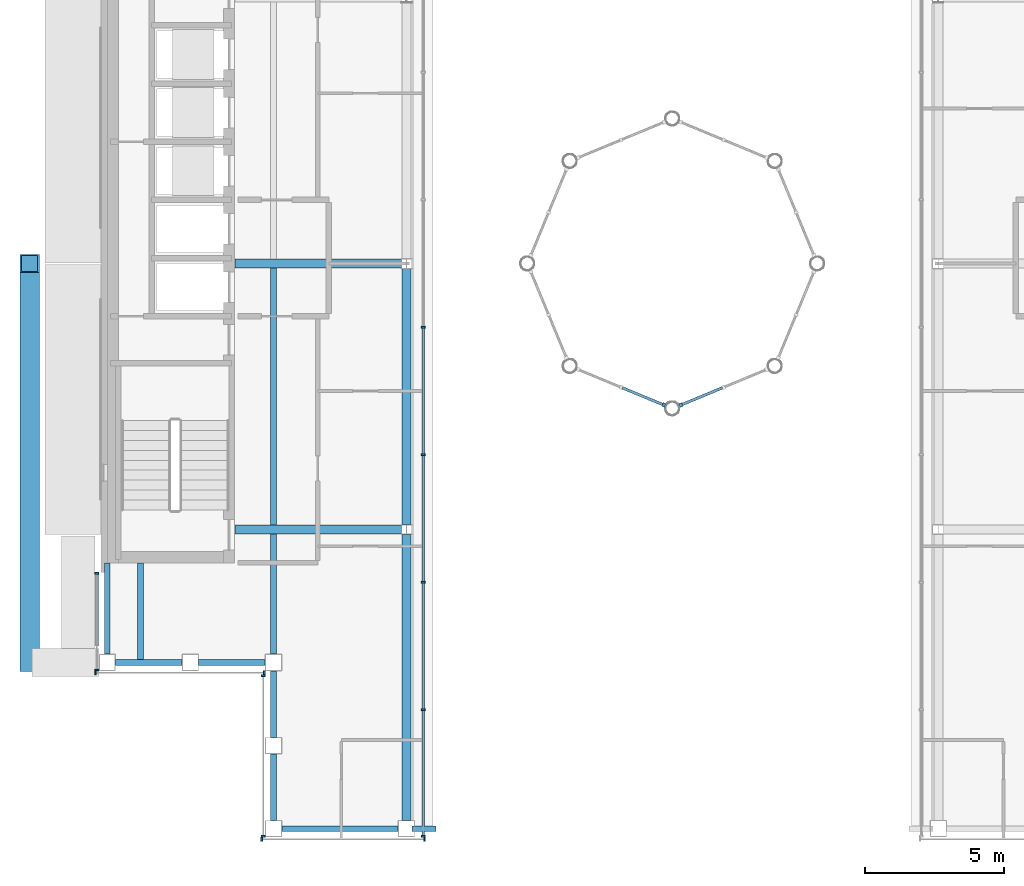
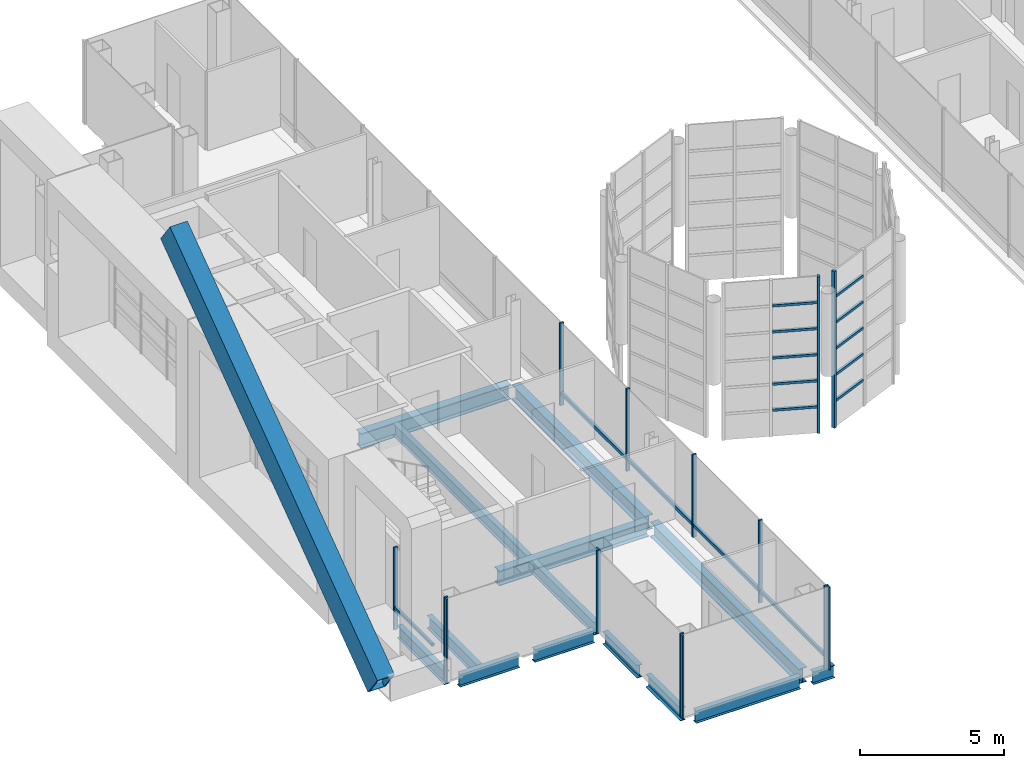
# One storey, part 4 of 21: 31 members, 14 beams, 7 elements without a shape of their own.
"""IFC4 building model written with IfcOpenShell, lengths in metres."""

from ifc_helpers import new_model, si_unit, direction, frame, origin, origin_2d, place, context, subcontext, project, spatial, rectangle, hollow_rectangle, i_section, extrude, material, material_profile, profile_set, type_object, element, aggregate, save


model = new_model("IFC4")

# Units and contexts
model_context = context("Model", 3, precision=1e-05, world=origin(), true_north=direction((0.0, 1.0)))
body_context = subcontext(model_context, "Body", "Model", "MODEL_VIEW")
ifc_project = project(units=[si_unit("LENGTHUNIT", "METRE"), si_unit("AREAUNIT", "SQUARE_METRE"), si_unit("VOLUMEUNIT", "CUBIC_METRE"), si_unit("PLANEANGLEUNIT", "RADIAN"), si_unit("MASSUNIT", "GRAM", prefix="KILO")], contexts=[model_context])

# Site, building, storey
site_placement = place(None, origin())
site = spatial("IfcSite", under=ifc_project, at=site_placement, CompositionType="ELEMENT")
building_placement = place(site_placement, origin())
building = spatial("IfcBuilding", under=site, at=building_placement, Name="Cobrizo Arcos Hotel Tower", CompositionType="ELEMENT")
storey_placement = place(building_placement, frame((0.0, 0.0, 276.0)))
storey = spatial("IfcBuildingStorey", under=building, at=storey_placement, Name="L73", CompositionType="ELEMENT", Elevation=276.0)

# Member
ifc_material_1 = material(Name="Steel ASTM A572 Grade 50", Category="steel")
ifc_material_profile_1 = material_profile(ifc_material_1, hollow_rectangle(XDim=0.699951171875, YDim=1.10009765625, WallThickness=0.06005859375, at=origin_2d()), Name="BOX 700X1100X60")
ifc_profile_set_1 = profile_set([ifc_material_profile_1], Name="Steel ASTM A572 Grade 50")
member_type_1 = type_object("IfcMemberType", Name="BOX 700X1100X60 perimeter brace", PredefinedType="BRACE", material=ifc_profile_set_1)
member_1_placement = place(storey_placement, frame((-23.199951171875, -14.39990234375, 0.5), z_axis=(0.0, 0.808005628086, 0.589174766076), x_axis=(-1.0, 0.0, 0.0)))
element("IfcMember", 1, at=member_1_placement, inside=storey, type_object=member_type_1, Name="Perimeter brace PBR5, zone Z5, west face, no. 04", PredefinedType="BRACE", context=body_context, shape_type="SweptSolid", body=[
    extrude(hollow_rectangle(XDim=0.699951171875, YDim=1.10009765625, WallThickness=0.06005859375, at=origin_2d()), origin(), (0.0, 0.0, 1.0), 17.821533203125),
])

# Curtain wall, members
ifc_material_2 = material(Name="Aluminium 6063-T6 anodised bronze", Category="aluminium")
curtain_wall_type_1 = type_object("IfcCurtainWallType", Name="CW-A guest facade", PredefinedType="NOTDEFINED", material=ifc_material_2)
curtain_wall_1_placement = place(storey_placement, origin())
curtain_wall_1 = element("IfcCurtainWall", 2, at=curtain_wall_1_placement, inside=storey, type_object=curtain_wall_type_1, Name="CW-A L73 S face", PredefinedType="NOTDEFINED")
ifc_material_profile_2 = material_profile(ifc_material_2, rectangle(XDim=0.14990234375, YDim=0.06005859375, at=origin_2d()), Name="CW-A mullion 150x60")
ifc_profile_set_2 = profile_set([ifc_material_profile_2], Name="Aluminium 6063-T6 anodised bronze")
member_type_2 = type_object("IfcMemberType", Name="CW-A mullion 150x60", PredefinedType="MULLION", material=ifc_profile_set_2)
member_2_placement = place(storey_placement, frame((-14.820068359375, -20.77490234375, 0.0), z_axis=(0.0, 0.0, 1.0), x_axis=(0.0, -1.0, 0.0)))
member_2 = element("IfcMember", 3, at=member_2_placement, type_object=member_type_2, Name="CW-A mullion 1", PredefinedType="MULLION", context=body_context, shape_type="SweptSolid", body=[
    extrude(rectangle(XDim=0.14990234375, YDim=0.06005859375, at=origin_2d()), origin(), (0.0, 0.0, 1.0), 3.5),
])
member_3_placement = place(storey_placement, frame((-8.945068359375, -20.77490234375, 0.0), z_axis=(0.0, 0.0, 1.0), x_axis=(0.0, -1.0, 0.0)))
member_3 = element("IfcMember", 4, at=member_3_placement, type_object=member_type_2, Name="CW-A mullion 2", PredefinedType="MULLION", context=body_context, shape_type="SweptSolid", body=[
    extrude(rectangle(XDim=0.14990234375, YDim=0.06005859375, at=origin_2d()), origin(), (0.0, 0.0, 1.0), 3.5),
])
aggregate(curtain_wall_1, [member_2, member_3])

curtain_wall_2_placement = place(storey_placement, origin())
curtain_wall_2 = element("IfcCurtainWall", 5, at=curtain_wall_2_placement, inside=storey, type_object=curtain_wall_type_1, Name="CW-A L73 W face", PredefinedType="NOTDEFINED")
member_4_placement = place(storey_placement, frame((-20.77490234375, -11.179931640625, 0.0), z_axis=(0.0, 0.0, 1.0), x_axis=(-1.0, 0.0, 0.0)))
member_4 = element("IfcMember", 6, at=member_4_placement, type_object=member_type_2, Name="CW-A mullion 1", PredefinedType="MULLION", context=body_context, shape_type="SweptSolid", body=[
    extrude(rectangle(XDim=0.14990234375, YDim=0.06005859375, at=origin_2d()), origin(), (0.0, 0.0, 1.0), 3.5),
])
member_5_placement = place(storey_placement, frame((-20.77490234375, -14.669921875, 0.0), z_axis=(0.0, 0.0, 1.0), x_axis=(-1.0, 0.0, 0.0)))
member_5 = element("IfcMember", 7, at=member_5_placement, type_object=member_type_2, Name="CW-A mullion 2", PredefinedType="MULLION", context=body_context, shape_type="SweptSolid", body=[
    extrude(rectangle(XDim=0.14990234375, YDim=0.06005859375, at=origin_2d()), origin(), (0.0, 0.0, 1.0), 3.5),
])

curtain_wall_3_placement = place(storey_placement, origin())
curtain_wall_3 = element("IfcCurtainWall", 8, at=curtain_wall_3_placement, inside=storey, type_object=curtain_wall_type_1, Name="CW-A L73 S face", PredefinedType="NOTDEFINED")
member_6_placement = place(storey_placement, frame((-20.820068359375, -14.77490234375, 0.0), z_axis=(0.0, 0.0, 1.0), x_axis=(0.0, -1.0, 0.0)))
member_6 = element("IfcMember", 9, at=member_6_placement, type_object=member_type_2, Name="CW-A mullion 1", PredefinedType="MULLION", context=body_context, shape_type="SweptSolid", body=[
    extrude(rectangle(XDim=0.14990234375, YDim=0.06005859375, at=origin_2d()), origin(), (0.0, 0.0, 1.0), 3.5),
])
member_7_placement = place(storey_placement, frame((-14.72998046875, -14.77490234375, 0.0), z_axis=(0.0, 0.0, 1.0), x_axis=(0.0, -1.0, 0.0)))
member_7 = element("IfcMember", 10, at=member_7_placement, type_object=member_type_2, Name="CW-A mullion 2", PredefinedType="MULLION", context=body_context, shape_type="SweptSolid", body=[
    extrude(rectangle(XDim=0.14990234375, YDim=0.06005859375, at=origin_2d()), origin(), (0.0, 0.0, 1.0), 3.5),
])
aggregate(curtain_wall_3, [member_6, member_7])

curtain_wall_4_placement = place(storey_placement, origin())
curtain_wall_4 = element("IfcCurtainWall", 11, at=curtain_wall_4_placement, inside=storey, type_object=curtain_wall_type_1, Name="CW-A L73 W face", PredefinedType="NOTDEFINED")
member_8_placement = place(storey_placement, frame((-14.77490234375, -14.8798828125, 0.0), z_axis=(0.0, 0.0, 1.0), x_axis=(-1.0, 0.0, 0.0)))
member_8 = element("IfcMember", 12, at=member_8_placement, type_object=member_type_2, Name="CW-A mullion 1", PredefinedType="MULLION", context=body_context, shape_type="SweptSolid", body=[
    extrude(rectangle(XDim=0.14990234375, YDim=0.06005859375, at=origin_2d()), origin(), (0.0, 0.0, 1.0), 3.5),
])
member_9_placement = place(storey_placement, frame((-14.77490234375, -20.669921875, 0.0), z_axis=(0.0, 0.0, 1.0), x_axis=(-1.0, 0.0, 0.0)))
member_9 = element("IfcMember", 13, at=member_9_placement, type_object=member_type_2, Name="CW-A mullion 2", PredefinedType="MULLION", context=body_context, shape_type="SweptSolid", body=[
    extrude(rectangle(XDim=0.14990234375, YDim=0.06005859375, at=origin_2d()), origin(), (0.0, 0.0, 1.0), 3.5),
])
aggregate(curtain_wall_4, [member_8, member_9])

# Member
ifc_material_profile_3 = material_profile(ifc_material_2, rectangle(XDim=0.10009765625, YDim=0.1201171875, at=origin_2d()), Name="CW-A transom 120x100")
ifc_profile_set_3 = profile_set([ifc_material_profile_3], Name="Aluminium 6063-T6 anodised bronze")
member_type_3 = type_object("IfcMemberType", Name="CW-A transom 120x100", PredefinedType="USERDEFINED", material=ifc_profile_set_3)
member_10_placement = place(storey_placement, frame((-20.77490234375, -11.2099609375, 0.929931640625), z_axis=(0.0, -1.0, 0.0), x_axis=(1.0, 0.0, 0.0)))
member_10 = element("IfcMember", 14, at=member_10_placement, type_object=member_type_3, Name="CW-A transom 2321", ObjectType="TRANSOM", PredefinedType="USERDEFINED", context=body_context, shape_type="SweptSolid", body=[
    extrude(rectangle(XDim=0.10009765625, YDim=0.1201171875, at=origin_2d()), origin(), (0.0, 0.0, 1.0), 2.590087890625),
])

aggregate(curtain_wall_2, [member_4, member_5, member_10])

# Curtain wall, members
curtain_wall_type_2 = type_object("IfcCurtainWallType", Name="CW-C arch infill and crown glazing", PredefinedType="NOTDEFINED", material=ifc_material_2)
curtain_wall_5_placement = place(storey_placement, origin())
curtain_wall_5 = element("IfcCurtainWall", 15, at=curtain_wall_5_placement, inside=storey, type_object=curtain_wall_type_2, Name="CW-C L73 E face", PredefinedType="NOTDEFINED")
ifc_material_profile_4 = material_profile(ifc_material_2, rectangle(XDim=0.14990234375, YDim=0.070068359375, at=origin_2d()), Name="CW-C mullion 150x70")
ifc_profile_set_4 = profile_set([ifc_material_profile_4], Name="Aluminium 6063-T6 anodised bronze")
member_type_4 = type_object("IfcMemberType", Name="CW-C mullion 150x70", PredefinedType="MULLION", material=ifc_profile_set_4)
member_11_placement = place(storey_placement, frame((-8.989990234375, -20.6650390625, 0.0), z_axis=(0.0, 0.0, 1.0), x_axis=(1.0, 0.0, 0.0)))
member_11 = element("IfcMember", 16, at=member_11_placement, type_object=member_type_4, Name="CW-C mullion 1", PredefinedType="MULLION", context=body_context, shape_type="SweptSolid", body=[
    extrude(rectangle(XDim=0.14990234375, YDim=0.070068359375, at=origin_2d()), origin(), (0.0, 0.0, 1.0), 3.5),
])
member_12_placement = place(storey_placement, frame((-8.989990234375, -16.10009765625, 0.0), z_axis=(0.0, 0.0, 1.0), x_axis=(1.0, 0.0, 0.0)))
member_12 = element("IfcMember", 17, at=member_12_placement, type_object=member_type_4, Name="CW-C mullion 2", PredefinedType="MULLION", context=body_context, shape_type="SweptSolid", body=[
    extrude(rectangle(XDim=0.14990234375, YDim=0.070068359375, at=origin_2d()), origin(), (0.0, 0.0, 1.0), 3.5),
])
member_13_placement = place(storey_placement, frame((-8.989990234375, -11.5, 0.0), z_axis=(0.0, 0.0, 1.0), x_axis=(1.0, 0.0, 0.0)))
member_13 = element("IfcMember", 18, at=member_13_placement, type_object=member_type_4, Name="CW-C mullion 3", PredefinedType="MULLION", context=body_context, shape_type="SweptSolid", body=[
    extrude(rectangle(XDim=0.14990234375, YDim=0.070068359375, at=origin_2d()), origin(), (0.0, 0.0, 1.0), 3.5),
])
member_14_placement = place(storey_placement, frame((-8.989990234375, -6.89990234375, 0.0), z_axis=(0.0, 0.0, 1.0), x_axis=(1.0, 0.0, 0.0)))
member_14 = element("IfcMember", 19, at=member_14_placement, type_object=member_type_4, Name="CW-C mullion 4", PredefinedType="MULLION", context=body_context, shape_type="SweptSolid", body=[
    extrude(rectangle(XDim=0.14990234375, YDim=0.070068359375, at=origin_2d()), origin(), (0.0, 0.0, 1.0), 3.5),
])
member_15_placement = place(storey_placement, frame((-8.989990234375, -2.300048828125, 0.0), z_axis=(0.0, 0.0, 1.0), x_axis=(1.0, 0.0, 0.0)))
member_15 = element("IfcMember", 20, at=member_15_placement, type_object=member_type_4, Name="CW-C mullion 5", PredefinedType="MULLION", context=body_context, shape_type="SweptSolid", body=[
    extrude(rectangle(XDim=0.14990234375, YDim=0.070068359375, at=origin_2d()), origin(), (0.0, 0.0, 1.0), 3.5),
])
ifc_material_profile_5 = material_profile(ifc_material_2, rectangle(XDim=0.10009765625, YDim=0.139892578125, at=origin_2d()), Name="CW-C transom 140x100")
ifc_profile_set_5 = profile_set([ifc_material_profile_5], Name="Aluminium 6063-T6 anodised bronze")
member_type_5 = type_object("IfcMemberType", Name="CW-C transom 140x100", PredefinedType="USERDEFINED", material=ifc_profile_set_5)
member_16_placement = place(storey_placement, frame((-8.989990234375, -20.6298828125, 0.5), z_axis=(0.0, 1.0, 0.0), x_axis=(-1.0, 0.0, 0.0)))
member_16 = element("IfcMember", 21, at=member_16_placement, type_object=member_type_5, Name="CW-C transom 2308", ObjectType="TRANSOM", PredefinedType="USERDEFINED", context=body_context, shape_type="SweptSolid", body=[
    extrude(rectangle(XDim=0.10009765625, YDim=0.139892578125, at=origin_2d()), origin(), (0.0, 0.0, 1.0), 4.494873046875),
])
member_17_placement = place(storey_placement, frame((-8.989990234375, -16.06494140625, 0.5), z_axis=(0.0, 1.0, 0.0), x_axis=(-1.0, 0.0, 0.0)))
member_17 = element("IfcMember", 22, at=member_17_placement, type_object=member_type_5, Name="CW-C transom 2309", ObjectType="TRANSOM", PredefinedType="USERDEFINED", context=body_context, shape_type="SweptSolid", body=[
    extrude(rectangle(XDim=0.10009765625, YDim=0.139892578125, at=origin_2d()), origin(), (0.0, 0.0, 1.0), 4.530029296875),
])
member_18_placement = place(storey_placement, frame((-8.989990234375, -11.465087890625, 0.5), z_axis=(0.0, 1.0, 0.0), x_axis=(-1.0, 0.0, 0.0)))
member_18 = element("IfcMember", 23, at=member_18_placement, type_object=member_type_5, Name="CW-C transom 2310", ObjectType="TRANSOM", PredefinedType="USERDEFINED", context=body_context, shape_type="SweptSolid", body=[
    extrude(rectangle(XDim=0.10009765625, YDim=0.139892578125, at=origin_2d()), origin(), (0.0, 0.0, 1.0), 4.530029296875),
])
member_19_placement = place(storey_placement, frame((-8.989990234375, -6.864990234375, 0.5), z_axis=(0.0, 1.0, 0.0), x_axis=(-1.0, 0.0, 0.0)))
member_19 = element("IfcMember", 24, at=member_19_placement, type_object=member_type_5, Name="CW-C transom 2311", ObjectType="TRANSOM", PredefinedType="USERDEFINED", context=body_context, shape_type="SweptSolid", body=[
    extrude(rectangle(XDim=0.10009765625, YDim=0.139892578125, at=origin_2d()), origin(), (0.0, 0.0, 1.0), 4.530029296875),
])
aggregate(curtain_wall_5, [member_11, member_12, member_13, member_14, member_15, member_16, member_17, member_18, member_19])

# Curtain wall, member
curtain_wall_type_3 = type_object("IfcCurtainWallType", Name="CW-D plant louvre wall", PredefinedType="NOTDEFINED", material=ifc_material_2)
curtain_wall_6_placement = place(storey_placement, origin())
curtain_wall_6 = element("IfcCurtainWall", 25, at=curtain_wall_6_placement, inside=storey, type_object=curtain_wall_type_3, Name="CW-D drum louvre wall t1-6", PredefinedType="NOTDEFINED")
ifc_material_profile_6 = material_profile(ifc_material_2, rectangle(XDim=0.14990234375, YDim=0.10009765625, at=origin_2d()), Name="CW-D mullion 150x100")
ifc_profile_set_6 = profile_set([ifc_material_profile_6], Name="Aluminium 6063-T6 anodised bronze")
member_type_6 = type_object("IfcMemberType", Name="CW-D mullion 150x100", PredefinedType="MULLION", material=ifc_profile_set_6)
member_20_placement = place(storey_placement, frame((-0.30859375, -5.104736328125, -2.5), z_axis=(0.0, 0.0, 1.0), x_axis=(-0.382683432365, -0.923879532511, 0.0)))
member_20 = element("IfcMember", 26, at=member_20_placement, type_object=member_type_6, Name="CW-D mullion 3", PredefinedType="MULLION", context=body_context, shape_type="SweptSolid", body=[
    extrude(rectangle(XDim=0.14990234375, YDim=0.10009765625, at=origin_2d()), origin(), (0.0, 0.0, 1.0), 6.63330078125),
])

curtain_wall_7_placement = place(storey_placement, origin())
curtain_wall_7 = element("IfcCurtainWall", 27, at=curtain_wall_7_placement, inside=storey, type_object=curtain_wall_type_3, Name="CW-D drum louvre wall t1-7", PredefinedType="NOTDEFINED")
member_21_placement = place(storey_placement, frame((0.30859375, -5.104736328125, -2.5), z_axis=(0.0, 0.0, 1.0), x_axis=(0.382683432365, -0.923879532511, 0.0)))
member_21 = element("IfcMember", 28, at=member_21_placement, type_object=member_type_6, Name="CW-D mullion 1", PredefinedType="MULLION", context=body_context, shape_type="SweptSolid", body=[
    extrude(rectangle(XDim=0.14990234375, YDim=0.10009765625, at=origin_2d()), origin(), (0.0, 0.0, 1.0), 6.63330078125),
])

# Member
ifc_material_profile_7 = material_profile(ifc_material_2, rectangle(XDim=0.10009765625, YDim=0.10009765625, at=origin_2d()), Name="CW-D transom 100x100")
ifc_profile_set_7 = profile_set([ifc_material_profile_7], Name="Aluminium 6063-T6 anodised bronze")
member_type_7 = type_object("IfcMemberType", Name="CW-D transom 100x100", PredefinedType="USERDEFINED", material=ifc_profile_set_7)
member_22_placement = place(storey_placement, frame((-1.8037109375, -4.4853515625, -1.394287109375), z_axis=(0.923844168663, -0.382768797092, 0.0), x_axis=(0.382768797092, 0.923844168663, 0.0)))
member_22 = element("IfcMember", 29, at=member_22_placement, type_object=member_type_7, Name="CW-D transom 2-1", ObjectType="TRANSOM", PredefinedType="USERDEFINED", context=body_context, shape_type="SweptSolid", body=[
    extrude(rectangle(XDim=0.10009765625, YDim=0.10009765625, at=origin_2d()), origin(), (0.0, 0.0, 1.0), 1.568359375),
])

member_23_placement = place(storey_placement, frame((-1.8037109375, -4.4853515625, -0.288818359375), z_axis=(0.923844168663, -0.382768797092, 0.0), x_axis=(0.382768797092, 0.923844168663, 0.0)))
member_23 = element("IfcMember", 30, at=member_23_placement, type_object=member_type_7, Name="CW-D transom 2-2", ObjectType="TRANSOM", PredefinedType="USERDEFINED", context=body_context, shape_type="SweptSolid", body=[
    extrude(rectangle(XDim=0.10009765625, YDim=0.10009765625, at=origin_2d()), origin(), (0.0, 0.0, 1.0), 1.568359375),
])

member_24_placement = place(storey_placement, frame((-1.8037109375, -4.4853515625, 0.816650390625), z_axis=(0.923844168663, -0.382768797092, 0.0), x_axis=(0.382768797092, 0.923844168663, 0.0)))
member_24 = element("IfcMember", 31, at=member_24_placement, type_object=member_type_7, Name="CW-D transom 2-3", ObjectType="TRANSOM", PredefinedType="USERDEFINED", context=body_context, shape_type="SweptSolid", body=[
    extrude(rectangle(XDim=0.10009765625, YDim=0.10009765625, at=origin_2d()), origin(), (0.0, 0.0, 1.0), 1.568359375),
])

member_25_placement = place(storey_placement, frame((-1.8037109375, -4.4853515625, 1.922119140625), z_axis=(0.923844168663, -0.382768797092, 0.0), x_axis=(0.382768797092, 0.923844168663, 0.0)))
member_25 = element("IfcMember", 32, at=member_25_placement, type_object=member_type_7, Name="CW-D transom 2-4", ObjectType="TRANSOM", PredefinedType="USERDEFINED", context=body_context, shape_type="SweptSolid", body=[
    extrude(rectangle(XDim=0.10009765625, YDim=0.10009765625, at=origin_2d()), origin(), (0.0, 0.0, 1.0), 1.568359375),
])

member_26_placement = place(storey_placement, frame((-1.8037109375, -4.4853515625, 3.02783203125), z_axis=(0.923844168663, -0.382768797092, 0.0), x_axis=(0.382768797092, 0.923844168663, 0.0)))
member_26 = element("IfcMember", 33, at=member_26_placement, type_object=member_type_7, Name="CW-D transom 2-5", ObjectType="TRANSOM", PredefinedType="USERDEFINED", context=body_context, shape_type="SweptSolid", body=[
    extrude(rectangle(XDim=0.10009765625, YDim=0.10009765625, at=origin_2d()), origin(), (0.0, 0.0, 1.0), 1.568359375),
])

aggregate(curtain_wall_6, [member_20, member_22, member_23, member_24, member_25, member_26])

member_27_placement = place(storey_placement, frame((0.354736328125, -5.085693359375, -1.394287109375), z_axis=(0.923844168663, 0.382768797092, 0.0), x_axis=(-0.382768797092, 0.923844168663, 0.0)))
member_27 = element("IfcMember", 34, at=member_27_placement, type_object=member_type_7, Name="CW-D transom 1-1", ObjectType="TRANSOM", PredefinedType="USERDEFINED", context=body_context, shape_type="SweptSolid", body=[
    extrude(rectangle(XDim=0.10009765625, YDim=0.10009765625, at=origin_2d()), origin(), (0.0, 0.0, 1.0), 1.568359375),
])

member_28_placement = place(storey_placement, frame((0.354736328125, -5.085693359375, -0.288818359375), z_axis=(0.923844168663, 0.382768797092, 0.0), x_axis=(-0.382768797092, 0.923844168663, 0.0)))
member_28 = element("IfcMember", 35, at=member_28_placement, type_object=member_type_7, Name="CW-D transom 1-2", ObjectType="TRANSOM", PredefinedType="USERDEFINED", context=body_context, shape_type="SweptSolid", body=[
    extrude(rectangle(XDim=0.10009765625, YDim=0.10009765625, at=origin_2d()), origin(), (0.0, 0.0, 1.0), 1.568359375),
])

member_29_placement = place(storey_placement, frame((0.354736328125, -5.085693359375, 0.816650390625), z_axis=(0.923844168663, 0.382768797092, 0.0), x_axis=(-0.382768797092, 0.923844168663, 0.0)))
member_29 = element("IfcMember", 36, at=member_29_placement, type_object=member_type_7, Name="CW-D transom 1-3", ObjectType="TRANSOM", PredefinedType="USERDEFINED", context=body_context, shape_type="SweptSolid", body=[
    extrude(rectangle(XDim=0.10009765625, YDim=0.10009765625, at=origin_2d()), origin(), (0.0, 0.0, 1.0), 1.568359375),
])

member_30_placement = place(storey_placement, frame((0.354736328125, -5.085693359375, 1.922119140625), z_axis=(0.923844168663, 0.382768797092, 0.0), x_axis=(-0.382768797092, 0.923844168663, 0.0)))
member_30 = element("IfcMember", 37, at=member_30_placement, type_object=member_type_7, Name="CW-D transom 1-4", ObjectType="TRANSOM", PredefinedType="USERDEFINED", context=body_context, shape_type="SweptSolid", body=[
    extrude(rectangle(XDim=0.10009765625, YDim=0.10009765625, at=origin_2d()), origin(), (0.0, 0.0, 1.0), 1.568359375),
])

member_31_placement = place(storey_placement, frame((0.354736328125, -5.085693359375, 3.02783203125), z_axis=(0.923844168663, 0.382768797092, 0.0), x_axis=(-0.382768797092, 0.923844168663, 0.0)))
member_31 = element("IfcMember", 38, at=member_31_placement, type_object=member_type_7, Name="CW-D transom 1-5", ObjectType="TRANSOM", PredefinedType="USERDEFINED", context=body_context, shape_type="SweptSolid", body=[
    extrude(rectangle(XDim=0.10009765625, YDim=0.10009765625, at=origin_2d()), origin(), (0.0, 0.0, 1.0), 1.568359375),
])

aggregate(curtain_wall_7, [member_21, member_27, member_28, member_29, member_30, member_31])

# Beams
ifc_material_3 = material(Name="Steel ASTM A992 Grade 50", Category="steel")
ifc_material_profile_8 = material_profile(ifc_material_3, i_section(OverallWidth=0.209228515625, OverallDepth=0.533447265625, WebThickness=0.01025390625, FlangeThickness=0.015625, at=origin_2d()), Name="W21X62")
ifc_profile_set_8 = profile_set([ifc_material_profile_8], Name="Steel ASTM A992 Grade 50")
beam_type_1 = type_object("IfcBeamType", Name="W21X62 joist", PredefinedType="JOIST", material=ifc_profile_set_8)
beam_1_placement = place(storey_placement, frame((-19.199951171875, -14.31005859375, -0.416748046875), z_axis=(0.0, 1.0, 0.0), x_axis=(-1.0, 0.0, 0.0)))
element("IfcBeam", 39, at=beam_1_placement, inside=storey, type_object=beam_type_1, Name="Floor joist J1, L73, no. 001", PredefinedType="JOIST", context=body_context, shape_type="SweptSolid", body=[
    extrude(i_section(OverallWidth=0.209228515625, OverallDepth=0.533447265625, WebThickness=0.01025390625, FlangeThickness=0.015625, at=origin_2d()), origin(), (0.0, 0.0, 1.0), 3.5),
])
beam_2_placement = place(storey_placement, frame((-14.39990234375, -14.10009765625, -0.416748046875), z_axis=(0.0, 1.0, 0.0), x_axis=(-1.0, 0.0, 0.0)))
element("IfcBeam", 40, at=beam_2_placement, inside=storey, type_object=beam_type_1, Name="Floor joist J1, L73, no. 003", PredefinedType="JOIST", context=body_context, shape_type="SweptSolid", body=[
    extrude(i_section(OverallWidth=0.209228515625, OverallDepth=0.533447265625, WebThickness=0.01025390625, FlangeThickness=0.015625, at=origin_2d()), origin(), (0.0, 0.0, 1.0), 4.336181640625),
])
beam_3_placement = place(storey_placement, frame((-14.39990234375, -9.43603515625, -0.416748046875), z_axis=(0.0, 1.0, 0.0), x_axis=(-1.0, 0.0, 0.0)))
element("IfcBeam", 41, at=beam_3_placement, inside=storey, type_object=beam_type_1, Name="Floor joist J1, L73, no. 004", PredefinedType="JOIST", context=body_context, shape_type="SweptSolid", body=[
    extrude(i_section(OverallWidth=0.209228515625, OverallDepth=0.533447265625, WebThickness=0.01025390625, FlangeThickness=0.015625, at=origin_2d()), origin(), (0.0, 0.0, 1.0), 9.272216796875),
])
ifc_material_profile_9 = material_profile(ifc_material_3, i_section(OverallWidth=0.209228515625, OverallDepth=0.533447265625, WebThickness=0.01025390625, FlangeThickness=0.015625, at=origin_2d()), Name="W21X62")
ifc_profile_set_9 = profile_set([ifc_material_profile_9], Name="Steel ASTM A992 Grade 50")
beam_type_2 = type_object("IfcBeamType", Name="W21X62 spandrel", PredefinedType="SPANDREL", material=ifc_profile_set_9)
beam_4_placement = place(storey_placement, frame((-20.39990234375, -14.10009765625, -0.416748046875), z_axis=(0.0, 1.0, 0.0), x_axis=(-1.0, 0.0, 0.0)))
element("IfcBeam", 42, at=beam_4_placement, inside=storey, type_object=beam_type_2, Name="Spandrel beam W21X62, L73, no. 001", PredefinedType="SPANDREL", context=body_context, shape_type="SweptSolid", body=[
    extrude(i_section(OverallWidth=0.209228515625, OverallDepth=0.533447265625, WebThickness=0.01025390625, FlangeThickness=0.015625, at=origin_2d()), origin(), (0.0, 0.0, 1.0), 3.2900390625),
])
beam_5_placement = place(storey_placement, frame((-8.534912109375, -20.39990234375, -0.416748046875), z_axis=(-1.0, 0.0, 0.0), x_axis=(0.0, -1.0, 0.0)))
element("IfcBeam", 43, at=beam_5_placement, inside=storey, type_object=beam_type_2, Name="Spandrel beam W21X62, L73, no. 009", PredefinedType="SPANDREL", context=body_context, shape_type="SweptSolid", body=[
    extrude(i_section(OverallWidth=0.209228515625, OverallDepth=0.533447265625, WebThickness=0.01025390625, FlangeThickness=0.015625, at=origin_2d()), origin(), (0.0, 0.0, 1.0), 0.864990234375),
])
beam_6_placement = place(storey_placement, frame((-9.89990234375, -20.39990234375, -0.416748046875), z_axis=(-1.0, 0.0, 0.0), x_axis=(0.0, -1.0, 0.0)))
element("IfcBeam", 44, at=beam_6_placement, inside=storey, type_object=beam_type_2, Name="Spandrel beam W21X62, L73, no. 010", PredefinedType="SPANDREL", context=body_context, shape_type="SweptSolid", body=[
    extrude(i_section(OverallWidth=0.209228515625, OverallDepth=0.533447265625, WebThickness=0.01025390625, FlangeThickness=0.015625, at=origin_2d()), origin(), (0.0, 0.0, 1.0), 4.2001953125),
])
for number, where, z_axis, x_axis, name in (
    (45, (-14.39990234375, -20.10009765625, -0.416748046875), (0.0, 1.0, 0.0), (-1.0, 0.0, 0.0), "Spandrel beam W21X62, L73, no. 011"),
    (46, (-14.39990234375, -17.10009765625, -0.416748046875), (0.0, 1.0, 0.0), (-1.0, 0.0, 0.0), "Spandrel beam W21X62, L73, no. 012"),
    (47, (-14.699951171875, -14.39990234375, -0.416748046875), (-1.0, 0.0, 0.0), (0.0, -1.0, 0.0), "Spandrel beam W21X62, L73, no. 013"),
    (48, (-17.699951171875, -14.39990234375, -0.416748046875), (-1.0, 0.0, 0.0), (0.0, -1.0, 0.0), "Spandrel beam W21X62, L73, no. 014"),
):
    element("IfcBeam", number, at=place(storey_placement, frame(where, z_axis=z_axis, x_axis=x_axis)), inside=storey, type_object=beam_type_2, Name=name, PredefinedType="SPANDREL", context=body_context, shape_type="SweptSolid", body=[
        extrude(i_section(OverallWidth=0.209228515625, OverallDepth=0.533447265625, WebThickness=0.01025390625, FlangeThickness=0.015625, at=origin_2d()), origin(), (0.0, 0.0, 1.0), 2.400146484375),
    ])
ifc_material_profile_10 = material_profile(ifc_material_3, i_section(OverallWidth=0.32763671875, OverallDepth=0.622314453125, WebThickness=0.015380859375, FlangeThickness=0.0244140625, at=origin_2d()), Name="W24X131")
ifc_profile_set_10 = profile_set([ifc_material_profile_10], Name="Steel ASTM A992 Grade 50")
beam_type_3 = type_object("IfcBeamType", Name="W24X131 girder", PredefinedType="BEAM", material=ifc_profile_set_10)
for number, where, z_axis, x_axis, name in (
    (49, (-15.7900390625, -9.60009765625, -0.461181640625), (1.0, 0.0, 0.0), (0.0, 1.0, 0.0), "Floor girder G1, L73, no. 001"),
    (50, (-15.7900390625, 0.0, -0.461181640625), (1.0, 0.0, 0.0), (0.0, 1.0, 0.0), "Floor girder G1, L73, no. 003"),
):
    element("IfcBeam", number, at=place(storey_placement, frame(where, z_axis=z_axis, x_axis=x_axis)), inside=storey, type_object=beam_type_3, Name=name, PredefinedType="BEAM", context=body_context, shape_type="SweptSolid", body=[
        extrude(i_section(OverallWidth=0.32763671875, OverallDepth=0.622314453125, WebThickness=0.015380859375, FlangeThickness=0.0244140625, at=origin_2d()), origin(), (0.0, 0.0, 1.0), 6.005859375),
    ])
beam_7_placement = place(storey_placement, frame((-9.60009765625, -20.10009765625, -0.461181640625), z_axis=(0.0, 1.0, 0.0), x_axis=(-1.0, 0.0, 0.0)))
element("IfcBeam", 51, at=beam_7_placement, inside=storey, type_object=beam_type_3, Name="Floor girder G1, L73, no. 007", PredefinedType="BEAM", context=body_context, shape_type="SweptSolid", body=[
    extrude(i_section(OverallWidth=0.32763671875, OverallDepth=0.622314453125, WebThickness=0.015380859375, FlangeThickness=0.0244140625, at=origin_2d()), origin(), (0.0, 0.0, 1.0), 10.31591796875),
])
beam_8_placement = place(storey_placement, frame((-9.60009765625, -9.415771484375, -0.461181640625), z_axis=(0.0, 1.0, 0.0), x_axis=(-1.0, 0.0, 0.0)))
element("IfcBeam", 52, at=beam_8_placement, inside=storey, type_object=beam_type_3, Name="Floor girder G1, L73, no. 008", PredefinedType="BEAM", context=body_context, shape_type="SweptSolid", body=[
    extrude(i_section(OverallWidth=0.32763671875, OverallDepth=0.622314453125, WebThickness=0.015380859375, FlangeThickness=0.0244140625, at=origin_2d()), origin(), (0.0, 0.0, 1.0), 9.231689453125),
])

save(model, "model.ifc")
